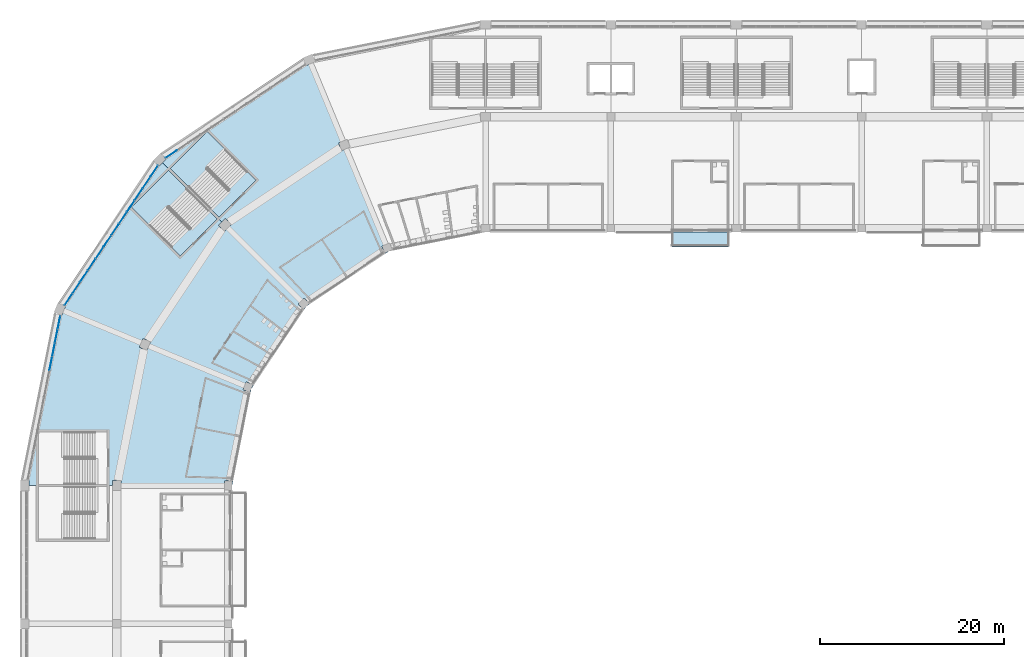
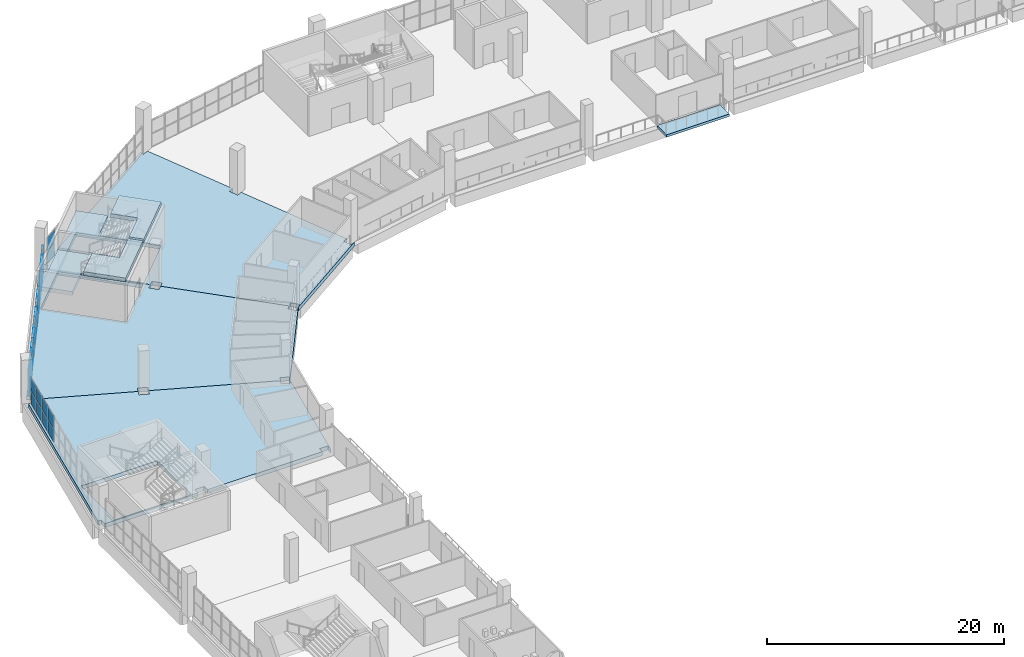
# One storey, part 67 of 199: 34 plates, 8 slabs, 5 elements without a shape of their own.
"""IFC4 building model written with IfcOpenShell, lengths in metres."""

from ifc_helpers import new_model, si_unit, direction, frame, origin, origin_2d, place, context, subcontext, project, spatial, polyline, rectangle, outline, extrude, material, layer, layer_set, type_object, element, aggregate, save


model = new_model("IFC4")

# Units and contexts
model_context = context("Model", 3, precision=1e-05, world=origin(), true_north=direction((0.0, 1.0)))
body_context = subcontext(model_context, "Body", "Model", "MODEL_VIEW")
ifc_project = project(units=[si_unit("LENGTHUNIT", "METRE"), si_unit("AREAUNIT", "SQUARE_METRE"), si_unit("VOLUMEUNIT", "CUBIC_METRE"), si_unit("PLANEANGLEUNIT", "RADIAN"), si_unit("MASSUNIT", "GRAM", prefix="KILO")], contexts=[model_context])

# Site, building, storey
site_placement = place(None, origin())
site = spatial("IfcSite", under=ifc_project, at=site_placement, CompositionType="ELEMENT")
building_placement = place(site_placement, origin())
building = spatial("IfcBuilding", under=site, at=building_placement, Name="Ogive Plaza Stadium", CompositionType="ELEMENT")
storey_placement = place(building_placement, frame((0.0, 0.0, 9.0)))
storey = spatial("IfcBuildingStorey", under=building, at=storey_placement, Name="L02", CompositionType="ELEMENT", Elevation=9.0)

# Slab
ifc_material_1 = material(Name="Concrete C40/50", Category="concrete")
ifc_layer_1 = layer(ifc_material_1, 0.25)
ifc_layer_set_1 = layer_set([ifc_layer_1], Name="Concrete C40/50")
slab_type_1 = type_object("IfcSlabType", Name="Balcony slab 250", PredefinedType="FLOOR", material=ifc_layer_set_1)
slab_1_placement = place(storey_placement, frame((0.0, 0.0, -0.25)))
element("IfcSlab", 1, at=slab_1_placement, inside=storey, type_object=slab_type_1, Name="Suite terrace slab B33", PredefinedType="FLOOR", context=body_context, shape_type="SweptSolid", body=[
    extrude(outline(polyline([(-7.625, 78.39990234375), (-7.625, 80.0), (-13.77490234375, 80.0), (-13.77490234375, 78.39990234375), (-7.625, 78.39990234375)])), origin(), (0.0, 0.0, 1.0), 0.25),
])

# Curtain wall, plates
ifc_material_2 = material(Name="Bronze-anodised aluminium with laminated glass", Category="aluminium")
curtain_wall_type = type_object("IfcCurtainWallType", Name="Lancet curtain wall", PredefinedType="NOTDEFINED", material=ifc_material_2)
curtain_wall_1_placement = place(storey_placement, origin())
curtain_wall_1 = element("IfcCurtainWall", 2, at=curtain_wall_1_placement, inside=storey, type_object=curtain_wall_type, Name="CURTAIN WALL B28 L02", PredefinedType="NOTDEFINED")
ifc_material_3 = material(Name="Laminated glass", Category="glass")
ifc_layer_2 = layer(ifc_material_3, 0.028076171875)
ifc_layer_set_2 = layer_set([ifc_layer_2], Name="Laminated glass panel 28")
plate_type = type_object("IfcPlateType", Name="Laminated glass panel 28", PredefinedType="CURTAIN_PANEL", material=ifc_layer_set_2)
plate_1_placement = place(storey_placement, frame((-81.16259765625, 65.739990234375, 0.0498046875), z_axis=(0.0, 0.0, 1.0), x_axis=(0.195090322016, 0.980785280403, 0.0)))
plate_1 = element("IfcPlate", 3, at=plate_1_placement, type_object=plate_type, Name="CW-B28-L02 panel 9.1", PredefinedType="CURTAIN_PANEL", context=body_context, shape_type="SweptSolid", body=[
    extrude(rectangle(XDim=1.4638671875, YDim=0.028076171875, at=origin_2d()), origin(), (0.0, 0.0, 1.0), 1.320068359375),
])
plate_2_placement = place(storey_placement, frame((-81.16259765625, 65.739990234375, 1.419921875), z_axis=(0.0, 0.0, 1.0), x_axis=(0.195090322016, 0.980785280403, 0.0)))
plate_2 = element("IfcPlate", 4, at=plate_2_placement, type_object=plate_type, Name="CW-B28-L02 panel 9.2", PredefinedType="CURTAIN_PANEL", context=body_context, shape_type="SweptSolid", body=[
    extrude(rectangle(XDim=1.4638671875, YDim=0.028076171875, at=origin_2d()), origin(), (0.0, 0.0, 1.0), 1.320068359375),
])
plate_3_placement = place(storey_placement, frame((-80.8671875, 67.224609375, 0.0498046875), z_axis=(0.0, 0.0, 1.0), x_axis=(0.195090322016, 0.980785280403, 0.0)))
plate_3 = element("IfcPlate", 5, at=plate_3_placement, type_object=plate_type, Name="CW-B28-L02 panel 10.1", PredefinedType="CURTAIN_PANEL", context=body_context, shape_type="SweptSolid", body=[
    extrude(rectangle(XDim=1.4638671875, YDim=0.028076171875, at=origin_2d()), origin(), (0.0, 0.0, 1.0), 1.320068359375),
])
plate_4_placement = place(storey_placement, frame((-80.8671875, 67.224609375, 1.419921875), z_axis=(0.0, 0.0, 1.0), x_axis=(0.195090322016, 0.980785280403, 0.0)))
plate_4 = element("IfcPlate", 6, at=plate_4_placement, type_object=plate_type, Name="CW-B28-L02 panel 10.2", PredefinedType="CURTAIN_PANEL", context=body_context, shape_type="SweptSolid", body=[
    extrude(rectangle(XDim=1.4638671875, YDim=0.028076171875, at=origin_2d()), origin(), (0.0, 0.0, 1.0), 1.320068359375),
])
plate_5_placement = place(storey_placement, frame((-80.57177734375, 68.70947265625, 0.0498046875), z_axis=(0.0, 0.0, 1.0), x_axis=(0.195090322016, 0.980785280403, 0.0)))
plate_5 = element("IfcPlate", 7, at=plate_5_placement, type_object=plate_type, Name="CW-B28-L02 panel 11.1", PredefinedType="CURTAIN_PANEL", context=body_context, shape_type="SweptSolid", body=[
    extrude(rectangle(XDim=1.4638671875, YDim=0.028076171875, at=origin_2d()), origin(), (0.0, 0.0, 1.0), 1.320068359375),
])
plate_6_placement = place(storey_placement, frame((-80.57177734375, 68.70947265625, 1.419921875), z_axis=(0.0, 0.0, 1.0), x_axis=(0.195090322016, 0.980785280403, 0.0)))
plate_6 = element("IfcPlate", 8, at=plate_6_placement, type_object=plate_type, Name="CW-B28-L02 panel 11.2", PredefinedType="CURTAIN_PANEL", context=body_context, shape_type="SweptSolid", body=[
    extrude(rectangle(XDim=1.4638671875, YDim=0.028076171875, at=origin_2d()), origin(), (0.0, 0.0, 1.0), 1.320068359375),
])
plate_7_placement = place(storey_placement, frame((-80.27880859375, 70.181884765625, 0.0498046875), z_axis=(0.0, 0.0, 1.0), x_axis=(0.195090322016, 0.980785280403, 0.0)))
plate_7 = element("IfcPlate", 9, at=plate_7_placement, type_object=plate_type, Name="CW-B28-L02 panel 12.1", PredefinedType="CURTAIN_PANEL", context=body_context, shape_type="SweptSolid", body=[
    extrude(rectangle(XDim=1.43896484375, YDim=0.028076171875, at=origin_2d()), origin(), (0.0, 0.0, 1.0), 1.320068359375),
])
plate_8_placement = place(storey_placement, frame((-80.27880859375, 70.181884765625, 1.419921875), z_axis=(0.0, 0.0, 1.0), x_axis=(0.195090322016, 0.980785280403, 0.0)))
plate_8 = element("IfcPlate", 10, at=plate_8_placement, type_object=plate_type, Name="CW-B28-L02 panel 12.2", PredefinedType="CURTAIN_PANEL", context=body_context, shape_type="SweptSolid", body=[
    extrude(rectangle(XDim=1.43896484375, YDim=0.028076171875, at=origin_2d()), origin(), (0.0, 0.0, 1.0), 1.320068359375),
])
aggregate(curtain_wall_1, [plate_1, plate_2, plate_3, plate_4, plate_5, plate_6, plate_7, plate_8])

curtain_wall_2_placement = place(storey_placement, origin())
curtain_wall_2 = element("IfcCurtainWall", 11, at=curtain_wall_2_placement, inside=storey, type_object=curtain_wall_type, Name="CURTAIN WALL B29 L02", PredefinedType="NOTDEFINED")
plate_9_placement = place(storey_placement, frame((-79.253173828125, 72.68212890625, 0.0498046875), z_axis=(0.0, 0.0, 1.0), x_axis=(0.55557023302, 0.831469612303, 0.0)))
plate_9 = element("IfcPlate", 12, at=plate_9_placement, type_object=plate_type, Name="CW-B29-L02 panel 1.1", PredefinedType="CURTAIN_PANEL", context=body_context, shape_type="SweptSolid", body=[
    extrude(rectangle(XDim=1.447265625, YDim=0.028076171875, at=origin_2d()), origin(), (0.0, 0.0, 1.0), 1.320068359375),
])
plate_10_placement = place(storey_placement, frame((-79.253173828125, 72.68212890625, 1.419921875), z_axis=(0.0, 0.0, 1.0), x_axis=(0.55557023302, 0.831469612303, 0.0)))
plate_10 = element("IfcPlate", 13, at=plate_10_placement, type_object=plate_type, Name="CW-B29-L02 panel 1.2", PredefinedType="CURTAIN_PANEL", context=body_context, shape_type="SweptSolid", body=[
    extrude(rectangle(XDim=1.447265625, YDim=0.028076171875, at=origin_2d()), origin(), (0.0, 0.0, 1.0), 1.320068359375),
])
plate_11_placement = place(storey_placement, frame((-78.414306640625, 73.9375, 0.0498046875), z_axis=(0.0, 0.0, 1.0), x_axis=(0.55557023302, 0.831469612303, 0.0)))
plate_11 = element("IfcPlate", 14, at=plate_11_placement, type_object=plate_type, Name="CW-B29-L02 panel 2.1", PredefinedType="CURTAIN_PANEL", context=body_context, shape_type="SweptSolid", body=[
    extrude(rectangle(XDim=1.472412109375, YDim=0.028076171875, at=origin_2d()), origin(), (0.0, 0.0, 1.0), 1.320068359375),
])
plate_12_placement = place(storey_placement, frame((-78.414306640625, 73.9375, 1.419921875), z_axis=(0.0, 0.0, 1.0), x_axis=(0.55557023302, 0.831469612303, 0.0)))
plate_12 = element("IfcPlate", 15, at=plate_12_placement, type_object=plate_type, Name="CW-B29-L02 panel 2.2", PredefinedType="CURTAIN_PANEL", context=body_context, shape_type="SweptSolid", body=[
    extrude(rectangle(XDim=1.472412109375, YDim=0.028076171875, at=origin_2d()), origin(), (0.0, 0.0, 1.0), 1.320068359375),
])
plate_13_placement = place(storey_placement, frame((-77.568603515625, 75.203369140625, 0.0498046875), z_axis=(0.0, 0.0, 1.0), x_axis=(0.55557023302, 0.831469612303, 0.0)))
plate_13 = element("IfcPlate", 16, at=plate_13_placement, type_object=plate_type, Name="CW-B29-L02 panel 3.1", PredefinedType="CURTAIN_PANEL", context=body_context, shape_type="SweptSolid", body=[
    extrude(rectangle(XDim=1.472412109375, YDim=0.028076171875, at=origin_2d()), origin(), (0.0, 0.0, 1.0), 1.320068359375),
])
plate_14_placement = place(storey_placement, frame((-77.568603515625, 75.203369140625, 1.419921875), z_axis=(0.0, 0.0, 1.0), x_axis=(0.55557023302, 0.831469612303, 0.0)))
plate_14 = element("IfcPlate", 17, at=plate_14_placement, type_object=plate_type, Name="CW-B29-L02 panel 3.2", PredefinedType="CURTAIN_PANEL", context=body_context, shape_type="SweptSolid", body=[
    extrude(rectangle(XDim=1.472412109375, YDim=0.028076171875, at=origin_2d()), origin(), (0.0, 0.0, 1.0), 1.320068359375),
])
plate_15_placement = place(storey_placement, frame((-76.722900390625, 76.46923828125, 0.0498046875), z_axis=(0.0, 0.0, 1.0), x_axis=(0.55557023302, 0.831469612303, 0.0)))
plate_15 = element("IfcPlate", 18, at=plate_15_placement, type_object=plate_type, Name="CW-B29-L02 panel 4.1", PredefinedType="CURTAIN_PANEL", context=body_context, shape_type="SweptSolid", body=[
    extrude(rectangle(XDim=1.472412109375, YDim=0.028076171875, at=origin_2d()), origin(), (0.0, 0.0, 1.0), 1.320068359375),
])
plate_16_placement = place(storey_placement, frame((-76.722900390625, 76.46923828125, 1.419921875), z_axis=(0.0, 0.0, 1.0), x_axis=(0.55557023302, 0.831469612303, 0.0)))
plate_16 = element("IfcPlate", 19, at=plate_16_placement, type_object=plate_type, Name="CW-B29-L02 panel 4.2", PredefinedType="CURTAIN_PANEL", context=body_context, shape_type="SweptSolid", body=[
    extrude(rectangle(XDim=1.472412109375, YDim=0.028076171875, at=origin_2d()), origin(), (0.0, 0.0, 1.0), 1.320068359375),
])
plate_17_placement = place(storey_placement, frame((-75.876953125, 77.73486328125, 0.0498046875), z_axis=(0.0, 0.0, 1.0), x_axis=(0.55557023302, 0.831469612303, 0.0)))
plate_17 = element("IfcPlate", 20, at=plate_17_placement, type_object=plate_type, Name="CW-B29-L02 panel 5.1", PredefinedType="CURTAIN_PANEL", context=body_context, shape_type="SweptSolid", body=[
    extrude(rectangle(XDim=1.472412109375, YDim=0.028076171875, at=origin_2d()), origin(), (0.0, 0.0, 1.0), 1.320068359375),
])
plate_18_placement = place(storey_placement, frame((-75.876953125, 77.73486328125, 1.419921875), z_axis=(0.0, 0.0, 1.0), x_axis=(0.55557023302, 0.831469612303, 0.0)))
plate_18 = element("IfcPlate", 21, at=plate_18_placement, type_object=plate_type, Name="CW-B29-L02 panel 5.2", PredefinedType="CURTAIN_PANEL", context=body_context, shape_type="SweptSolid", body=[
    extrude(rectangle(XDim=1.472412109375, YDim=0.028076171875, at=origin_2d()), origin(), (0.0, 0.0, 1.0), 1.320068359375),
])
plate_19_placement = place(storey_placement, frame((-75.03125, 79.000732421875, 0.0498046875), z_axis=(0.0, 0.0, 1.0), x_axis=(0.55557023302, 0.831469612303, 0.0)))
plate_19 = element("IfcPlate", 22, at=plate_19_placement, type_object=plate_type, Name="CW-B29-L02 panel 6.1", PredefinedType="CURTAIN_PANEL", context=body_context, shape_type="SweptSolid", body=[
    extrude(rectangle(XDim=1.472412109375, YDim=0.028076171875, at=origin_2d()), origin(), (0.0, 0.0, 1.0), 1.320068359375),
])
plate_20_placement = place(storey_placement, frame((-75.03125, 79.000732421875, 1.419921875), z_axis=(0.0, 0.0, 1.0), x_axis=(0.55557023302, 0.831469612303, 0.0)))
plate_20 = element("IfcPlate", 23, at=plate_20_placement, type_object=plate_type, Name="CW-B29-L02 panel 6.2", PredefinedType="CURTAIN_PANEL", context=body_context, shape_type="SweptSolid", body=[
    extrude(rectangle(XDim=1.472412109375, YDim=0.028076171875, at=origin_2d()), origin(), (0.0, 0.0, 1.0), 1.320068359375),
])
plate_21_placement = place(storey_placement, frame((-74.185546875, 80.2666015625, 0.0498046875), z_axis=(0.0, 0.0, 1.0), x_axis=(0.55557023302, 0.831469612303, 0.0)))
plate_21 = element("IfcPlate", 24, at=plate_21_placement, type_object=plate_type, Name="CW-B29-L02 panel 7.1", PredefinedType="CURTAIN_PANEL", context=body_context, shape_type="SweptSolid", body=[
    extrude(rectangle(XDim=1.472412109375, YDim=0.028076171875, at=origin_2d()), origin(), (0.0, 0.0, 1.0), 1.320068359375),
])
plate_22_placement = place(storey_placement, frame((-74.185546875, 80.2666015625, 1.419921875), z_axis=(0.0, 0.0, 1.0), x_axis=(0.55557023302, 0.831469612303, 0.0)))
plate_22 = element("IfcPlate", 25, at=plate_22_placement, type_object=plate_type, Name="CW-B29-L02 panel 7.2", PredefinedType="CURTAIN_PANEL", context=body_context, shape_type="SweptSolid", body=[
    extrude(rectangle(XDim=1.472412109375, YDim=0.028076171875, at=origin_2d()), origin(), (0.0, 0.0, 1.0), 1.320068359375),
])
plate_23_placement = place(storey_placement, frame((-73.339599609375, 81.5322265625, 0.0498046875), z_axis=(0.0, 0.0, 1.0), x_axis=(0.55557023302, 0.831469612303, 0.0)))
plate_23 = element("IfcPlate", 26, at=plate_23_placement, type_object=plate_type, Name="CW-B29-L02 panel 8.1", PredefinedType="CURTAIN_PANEL", context=body_context, shape_type="SweptSolid", body=[
    extrude(rectangle(XDim=1.472412109375, YDim=0.028076171875, at=origin_2d()), origin(), (0.0, 0.0, 1.0), 1.320068359375),
])
plate_24_placement = place(storey_placement, frame((-73.339599609375, 81.5322265625, 1.419921875), z_axis=(0.0, 0.0, 1.0), x_axis=(0.55557023302, 0.831469612303, 0.0)))
plate_24 = element("IfcPlate", 27, at=plate_24_placement, type_object=plate_type, Name="CW-B29-L02 panel 8.2", PredefinedType="CURTAIN_PANEL", context=body_context, shape_type="SweptSolid", body=[
    extrude(rectangle(XDim=1.472412109375, YDim=0.028076171875, at=origin_2d()), origin(), (0.0, 0.0, 1.0), 1.320068359375),
])
plate_25_placement = place(storey_placement, frame((-72.493896484375, 82.798095703125, 0.0498046875), z_axis=(0.0, 0.0, 1.0), x_axis=(0.55557023302, 0.831469612303, 0.0)))
plate_25 = element("IfcPlate", 28, at=plate_25_placement, type_object=plate_type, Name="CW-B29-L02 panel 9.1", PredefinedType="CURTAIN_PANEL", context=body_context, shape_type="SweptSolid", body=[
    extrude(rectangle(XDim=1.472412109375, YDim=0.028076171875, at=origin_2d()), origin(), (0.0, 0.0, 1.0), 1.320068359375),
])
plate_26_placement = place(storey_placement, frame((-72.493896484375, 82.798095703125, 1.419921875), z_axis=(0.0, 0.0, 1.0), x_axis=(0.55557023302, 0.831469612303, 0.0)))
plate_26 = element("IfcPlate", 29, at=plate_26_placement, type_object=plate_type, Name="CW-B29-L02 panel 9.2", PredefinedType="CURTAIN_PANEL", context=body_context, shape_type="SweptSolid", body=[
    extrude(rectangle(XDim=1.472412109375, YDim=0.028076171875, at=origin_2d()), origin(), (0.0, 0.0, 1.0), 1.320068359375),
])
plate_27_placement = place(storey_placement, frame((-71.648193359375, 84.06396484375, 0.0498046875), z_axis=(0.0, 0.0, 1.0), x_axis=(0.55557023302, 0.831469612303, 0.0)))
plate_27 = element("IfcPlate", 30, at=plate_27_placement, type_object=plate_type, Name="CW-B29-L02 panel 10.1", PredefinedType="CURTAIN_PANEL", context=body_context, shape_type="SweptSolid", body=[
    extrude(rectangle(XDim=1.472412109375, YDim=0.028076171875, at=origin_2d()), origin(), (0.0, 0.0, 1.0), 1.320068359375),
])
plate_28_placement = place(storey_placement, frame((-71.648193359375, 84.06396484375, 1.419921875), z_axis=(0.0, 0.0, 1.0), x_axis=(0.55557023302, 0.831469612303, 0.0)))
plate_28 = element("IfcPlate", 31, at=plate_28_placement, type_object=plate_type, Name="CW-B29-L02 panel 10.2", PredefinedType="CURTAIN_PANEL", context=body_context, shape_type="SweptSolid", body=[
    extrude(rectangle(XDim=1.472412109375, YDim=0.028076171875, at=origin_2d()), origin(), (0.0, 0.0, 1.0), 1.320068359375),
])
plate_29_placement = place(storey_placement, frame((-70.802490234375, 85.32958984375, 0.0498046875), z_axis=(0.0, 0.0, 1.0), x_axis=(0.55557023302, 0.831469612303, 0.0)))
plate_29 = element("IfcPlate", 32, at=plate_29_placement, type_object=plate_type, Name="CW-B29-L02 panel 11.1", PredefinedType="CURTAIN_PANEL", context=body_context, shape_type="SweptSolid", body=[
    extrude(rectangle(XDim=1.472412109375, YDim=0.028076171875, at=origin_2d()), origin(), (0.0, 0.0, 1.0), 1.320068359375),
])
plate_30_placement = place(storey_placement, frame((-70.802490234375, 85.32958984375, 1.419921875), z_axis=(0.0, 0.0, 1.0), x_axis=(0.55557023302, 0.831469612303, 0.0)))
plate_30 = element("IfcPlate", 33, at=plate_30_placement, type_object=plate_type, Name="CW-B29-L02 panel 11.2", PredefinedType="CURTAIN_PANEL", context=body_context, shape_type="SweptSolid", body=[
    extrude(rectangle(XDim=1.472412109375, YDim=0.028076171875, at=origin_2d()), origin(), (0.0, 0.0, 1.0), 1.320068359375),
])
plate_31_placement = place(storey_placement, frame((-69.963623046875, 86.5849609375, 0.0498046875), z_axis=(0.0, 0.0, 1.0), x_axis=(0.55557023302, 0.831469612303, 0.0)))
plate_31 = element("IfcPlate", 34, at=plate_31_placement, type_object=plate_type, Name="CW-B29-L02 panel 12.1", PredefinedType="CURTAIN_PANEL", context=body_context, shape_type="SweptSolid", body=[
    extrude(rectangle(XDim=1.447265625, YDim=0.028076171875, at=origin_2d()), origin(), (0.0, 0.0, 1.0), 1.320068359375),
])
plate_32_placement = place(storey_placement, frame((-69.963623046875, 86.5849609375, 1.419921875), z_axis=(0.0, 0.0, 1.0), x_axis=(0.55557023302, 0.831469612303, 0.0)))
plate_32 = element("IfcPlate", 35, at=plate_32_placement, type_object=plate_type, Name="CW-B29-L02 panel 12.2", PredefinedType="CURTAIN_PANEL", context=body_context, shape_type="SweptSolid", body=[
    extrude(rectangle(XDim=1.447265625, YDim=0.028076171875, at=origin_2d()), origin(), (0.0, 0.0, 1.0), 1.320068359375),
])
aggregate(curtain_wall_2, [plate_9, plate_10, plate_11, plate_12, plate_13, plate_14, plate_15, plate_16, plate_17, plate_18, plate_19, plate_20, plate_21, plate_22, plate_23, plate_24, plate_25, plate_26, plate_27, plate_28, plate_29, plate_30, plate_31, plate_32])

curtain_wall_3_placement = place(storey_placement, origin())
curtain_wall_3 = element("IfcCurtainWall", 36, at=curtain_wall_3_placement, inside=storey, type_object=curtain_wall_type, Name="CURTAIN WALL B30 L02", PredefinedType="NOTDEFINED")
plate_33_placement = place(storey_placement, frame((-68.0849609375, 88.463623046875, 0.0498046875), z_axis=(0.0, 0.0, 1.0), x_axis=(0.831469612303, 0.55557023302, 0.0)))
plate_33 = element("IfcPlate", 37, at=plate_33_placement, type_object=plate_type, Name="CW-B30-L02 panel 1.1", PredefinedType="CURTAIN_PANEL", context=body_context, shape_type="SweptSolid", body=[
    extrude(rectangle(XDim=1.447265625, YDim=0.028076171875, at=origin_2d()), origin(), (0.0, 0.0, 1.0), 1.320068359375),
])
plate_34_placement = place(storey_placement, frame((-68.0849609375, 88.463623046875, 1.419921875), z_axis=(0.0, 0.0, 1.0), x_axis=(0.831469612303, 0.55557023302, 0.0)))
plate_34 = element("IfcPlate", 38, at=plate_34_placement, type_object=plate_type, Name="CW-B30-L02 panel 1.2", PredefinedType="CURTAIN_PANEL", context=body_context, shape_type="SweptSolid", body=[
    extrude(rectangle(XDim=1.447265625, YDim=0.028076171875, at=origin_2d()), origin(), (0.0, 0.0, 1.0), 1.320068359375),
])
aggregate(curtain_wall_3, [plate_33, plate_34])

# Slabs
ifc_material_4 = material(Name="Concrete C40/50", Category="concrete")
ifc_layer_3 = layer(ifc_material_4, 0.409912109375)
ifc_layer_set_3 = layer_set([ifc_layer_3], Name="Concrete C40/50")
slab_type_2 = type_object("IfcSlabType", Name="RC floor slab 410", PredefinedType="FLOOR", material=ifc_layer_set_3)
slab_2_placement = place(storey_placement, frame((0.0, 0.0, -0.409912109375)))
element("IfcSlab", 39, at=slab_2_placement, inside=storey, type_object=slab_type_2, Name="Floor slab L02 B28", PredefinedType="FLOOR", context=body_context, shape_type="SweptSolid", body=[
    extrude(outline(polyline([(-70.53955078125, 67.635009765625), (-70.730712890625, 67.173095703125), (-71.562255859375, 67.517578125), (-71.370849609375, 67.9794921875), (-79.7783203125, 71.4619140625), (-79.98876953125, 70.953857421875), (-80.303466796875, 71.084228515625), (-83.880615234375, 53.10009765625), (-83.550048828125, 53.10009765625), (-83.550048828125, 52.5), (-74.449951171875, 52.5), (-74.449951171875, 53.050048828125), (-73.550048828125, 53.050048828125), (-73.550048828125, 52.5), (-62.300048828125, 52.5), (-62.300048828125, 53.0), (-61.5, 53.0), (-61.5, 52.5), (-59.40673828125, 63.023681640625), (-59.578857421875, 62.608154296875), (-60.318115234375, 62.914306640625), (-60.145751953125, 63.329833984375), (-70.53955078125, 67.635009765625)]), holes=[polyline([(-75.050048828125, 58.324951171875), (-82.510009765625, 58.324951171875), (-82.510009765625, 52.625), (-75.050048828125, 52.625), (-75.050048828125, 58.324951171875)])]), origin(), (0.0, 0.0, 1.0), 0.409912109375),
])
slab_3_placement = place(storey_placement, frame((0.0, 0.0, -0.409912109375)))
element("IfcSlab", 40, at=slab_3_placement, inside=storey, type_object=slab_type_2, Name="Floor slab L02 B29", PredefinedType="FLOOR", context=body_context, shape_type="SweptSolid", body=[
    extrude(outline(polyline([(-61.966064453125, 80.466064453125), (-62.319580078125, 80.112548828125), (-62.9560546875, 80.7490234375), (-62.6025390625, 81.1025390625), (-69.037109375, 87.537109375), (-69.426025390625, 87.148193359375), (-69.6669921875, 87.38916015625), (-79.88232421875, 72.100341796875), (-79.56787109375, 71.97021484375), (-79.7783203125, 71.4619140625), (-71.370849609375, 67.9794921875), (-71.1796875, 68.44140625), (-70.34814453125, 68.09716796875), (-70.53955078125, 67.635009765625), (-60.145751953125, 63.329833984375), (-59.9736328125, 63.74560546875), (-59.234375, 63.439453125), (-59.40673828125, 63.023681640625), (-53.445556640625, 71.945556640625), (-53.763671875, 71.627197265625), (-54.329345703125, 72.19287109375), (-54.01123046875, 72.51123046875), (-61.966064453125, 80.466064453125)]), holes=[polyline([(-67.145751953125, 77.40771484375), (-63.115234375, 81.438232421875), (-68.39013671875, 86.71337890625), (-72.420654296875, 82.682861328125), (-67.145751953125, 77.40771484375)])]), origin(), (0.0, 0.0, 1.0), 0.409912109375),
])
slab_4_placement = place(storey_placement, frame((0.0, 0.0, -0.409912109375)))
element("IfcSlab", 41, at=slab_4_placement, inside=storey, type_object=slab_type_2, Name="Floor slab L02 B30", PredefinedType="FLOOR", context=body_context, shape_type="SweptSolid", body=[
    extrude(outline(polyline([(-49.135009765625, 89.03955078125), (-49.59716796875, 88.84814453125), (-49.94140625, 89.6796875), (-49.4794921875, 89.870849609375), (-52.9619140625, 98.2783203125), (-53.47021484375, 98.06787109375), (-53.600341796875, 98.38232421875), (-68.88916015625, 88.1669921875), (-68.648193359375, 87.926025390625), (-69.037109375, 87.537109375), (-62.6025390625, 81.1025390625), (-62.2490234375, 81.4560546875), (-61.612548828125, 80.819580078125), (-61.966064453125, 80.466064453125), (-54.01123046875, 72.51123046875), (-53.69287109375, 72.829345703125), (-53.127197265625, 72.263671875), (-53.445556640625, 71.945556640625), (-44.523681640625, 77.90673828125), (-44.939453125, 77.734375), (-45.24560546875, 78.4736328125), (-44.829833984375, 78.645751953125), (-49.135009765625, 89.03955078125)]), holes=[polyline([(-62.938232421875, 81.615234375), (-58.90771484375, 85.645751953125), (-64.182861328125, 90.920654296875), (-68.21337890625, 86.89013671875), (-62.938232421875, 81.615234375)])]), origin(), (0.0, 0.0, 1.0), 0.409912109375),
])

# Stair, slabs
ifc_material_5 = material(Name="Concrete C40/50", Category="concrete")
stair_type = type_object("IfcStairType", Name="Exit stair", PredefinedType="STRAIGHT_RUN_STAIR", material=ifc_material_5)
stair_1_placement = place(storey_placement, origin())
stair_1 = element("IfcStair", 42, at=stair_1_placement, inside=storey, type_object=stair_type, Name="Exit stair ST30A L02 to L03", PredefinedType="STRAIGHT_RUN_STAIR")
ifc_material_6 = material(Name="Concrete C40/50", Category="concrete")
ifc_layer_4 = layer(ifc_material_6, 0.39990234375)
ifc_layer_set_4 = layer_set([ifc_layer_4], Name="Concrete C40/50")
slab_type_3 = type_object("IfcSlabType", Name="Stair landing", PredefinedType="LANDING", material=ifc_layer_set_4)
slab_5_placement = place(storey_placement, frame((0.0, 0.0, 1.85009765625)))
slab_5 = element("IfcSlab", 43, at=slab_5_placement, type_object=slab_type_3, Name="ST30A landing 1", PredefinedType="LANDING", context=body_context, shape_type="SweptSolid", body=[
    extrude(outline(polyline([(-68.21337890625, 86.89013671875), (-64.182861328125, 90.920654296875), (-62.202880859375, 88.940673828125), (-64.253662109375, 86.89013671875), (-62.556396484375, 85.193115234375), (-64.536376953125, 83.213134765625), (-66.2333984375, 84.91015625), (-68.21337890625, 86.89013671875)])), origin(), (0.0, 0.0, 1.0), 0.39990234375),
])
slab_6_placement = place(storey_placement, frame((0.0, 0.0, 4.10009765625)))
slab_6 = element("IfcSlab", 44, at=slab_6_placement, type_object=slab_type_3, Name="ST30A landing 2", PredefinedType="LANDING", context=body_context, shape_type="SweptSolid", body=[
    extrude(outline(polyline([(-63.504150390625, 86.281982421875), (-61.524169921875, 88.261962890625), (-59.8271484375, 86.56494140625), (-58.90771484375, 85.645751953125), (-62.938232421875, 81.615234375), (-63.857666015625, 82.534423828125), (-61.806884765625, 84.5849609375), (-63.504150390625, 86.281982421875)])), origin(), (0.0, 0.0, 1.0), 0.39990234375),
])
aggregate(stair_1, [slab_5, slab_6])

stair_2_placement = place(storey_placement, origin())
stair_2 = element("IfcStair", 45, at=stair_2_placement, inside=storey, type_object=stair_type, Name="Exit stair ST30B L02 to L03", PredefinedType="STRAIGHT_RUN_STAIR")
slab_7_placement = place(storey_placement, frame((0.0, 0.0, 1.85009765625)))
slab_7 = element("IfcSlab", 46, at=slab_7_placement, type_object=slab_type_3, Name="ST30B landing 1", PredefinedType="LANDING", context=body_context, shape_type="SweptSolid", body=[
    extrude(outline(polyline([(-64.713134765625, 83.036376953125), (-66.693115234375, 81.056396484375), (-68.39013671875, 82.753662109375), (-70.440673828125, 80.702880859375), (-72.420654296875, 82.682861328125), (-68.39013671875, 86.71337890625), (-66.41015625, 84.7333984375), (-64.713134765625, 83.036376953125)])), origin(), (0.0, 0.0, 1.0), 0.39990234375),
])
slab_8_placement = place(storey_placement, frame((0.0, 0.0, 4.10009765625)))
slab_8 = element("IfcSlab", 47, at=slab_8_placement, type_object=slab_type_3, Name="ST30B landing 2", PredefinedType="LANDING", context=body_context, shape_type="SweptSolid", body=[
    extrude(outline(polyline([(-64.034423828125, 82.357666015625), (-63.115234375, 81.438232421875), (-67.145751953125, 77.40771484375), (-68.06494140625, 78.3271484375), (-69.761962890625, 80.024169921875), (-67.781982421875, 82.004150390625), (-66.0849609375, 80.306884765625), (-64.034423828125, 82.357666015625)])), origin(), (0.0, 0.0, 1.0), 0.39990234375),
])
aggregate(stair_2, [slab_7, slab_8])

save(model, "model.ifc")
